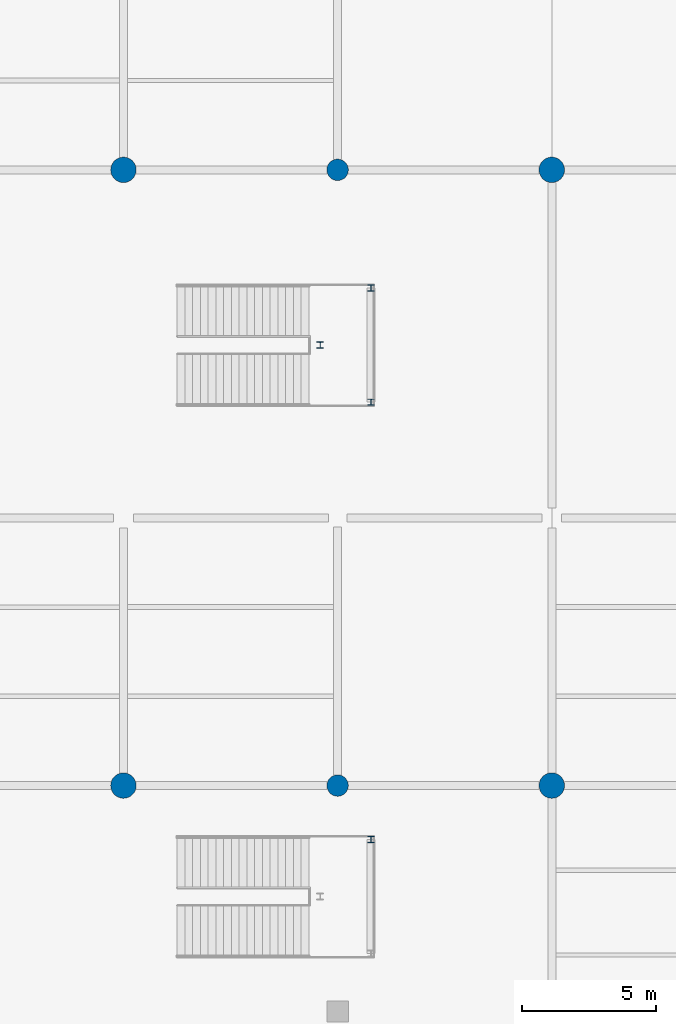
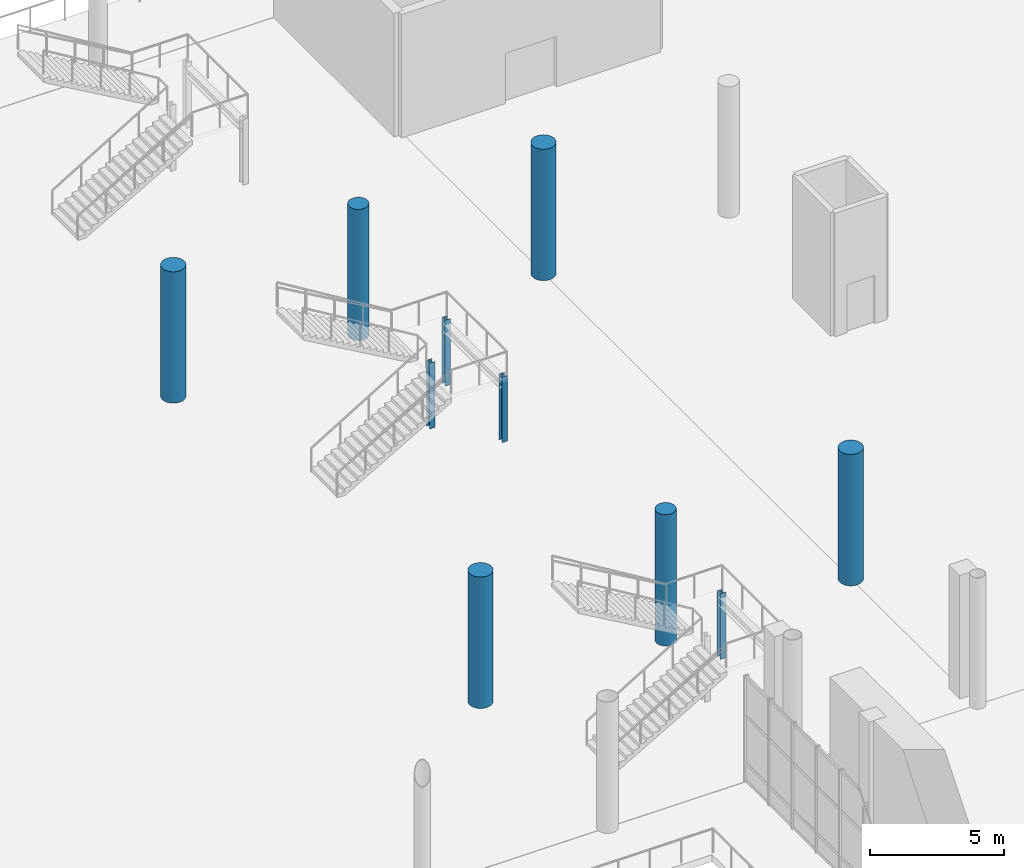
# One storey, part 24 of 163: 10 columns.
"""IFC4 building model written with IfcOpenShell, lengths in metres."""

from ifc_helpers import new_model, si_unit, direction, frame, origin, origin_2d, place, context, subcontext, project, spatial, circle, i_section, extrude, material, material_profile, profile_set, type_object, element, save


model = new_model("IFC4")

# Units and contexts
model_context = context("Model", 3, precision=1e-05, world=origin(), true_north=direction((0.0, 1.0)))
body_context = subcontext(model_context, "Body", "Model", "MODEL_VIEW")
ifc_project = project(units=[si_unit("LENGTHUNIT", "METRE"), si_unit("AREAUNIT", "SQUARE_METRE"), si_unit("VOLUMEUNIT", "CUBIC_METRE"), si_unit("PLANEANGLEUNIT", "RADIAN"), si_unit("MASSUNIT", "GRAM", prefix="KILO")], contexts=[model_context])

# Site, building, storey
site_placement = place(None, origin())
site = spatial("IfcSite", under=ifc_project, at=site_placement, CompositionType="ELEMENT")
building_placement = place(site_placement, origin())
building = spatial("IfcBuilding", under=site, at=building_placement, Name="Khorjan Park Terminus", CompositionType="ELEMENT")
storey_placement = place(building_placement, origin())
storey = spatial("IfcBuildingStorey", under=building, at=storey_placement, Name="L00", CompositionType="ELEMENT", Elevation=0.0)

# Columns
ifc_material_1 = material(Name="Steel S355", Category="steel")
ifc_material_profile_1 = material_profile(ifc_material_1, i_section(OverallWidth=0.24, OverallDepth=0.24, WebThickness=0.01, FlangeThickness=0.017, FilletRadius=0.021, at=origin_2d()), Name="HEB 240")
ifc_profile_set_1 = profile_set([ifc_material_profile_1], Name="Steel S355")
column_type_1 = type_object("IfcColumnType", Name="COL-HB240", PredefinedType="COLUMN", material=ifc_profile_set_1)
for number, where, z_axis, x_axis, name in (
    (1, (113.25, 109.48, 0.0), (0.0, 0.0, 1.0), (1.0, 0.0, 0.0), "Structural column SC-H24 (L00 #999)"),
    (2, (113.25, 125.82, 0.0), (0.0, 0.0, 1.0), (1.0, 0.0, 0.0), "Structural column SC-H24 (L00 #1009)"),
    (3, (113.25, 130.08, 0.0), (0.0, 0.0, 1.0), (1.0, 0.0, 0.0), "Structural column SC-H24 (L00 #1011)"),
    (4, (111.35, 127.95, 0.0), (0.0, 0.0, 1.0), (1.0, 0.0, 0.0), "Structural column SC-H24 (L00 #1013)"),
):
    element("IfcColumn", number, at=place(storey_placement, frame(where, z_axis=z_axis, x_axis=x_axis)), inside=storey, type_object=column_type_1, Name=name, PredefinedType="COLUMN", context=body_context, shape_type="SweptSolid", body=[
        extrude(i_section(OverallWidth=0.24, OverallDepth=0.24, WebThickness=0.01, FlangeThickness=0.017, FilletRadius=0.021, at=origin_2d()), origin(), (0.0, 0.0, 1.0), 3.0),
    ])
ifc_material_2 = material(Name="Concrete C40/50", Category="concrete")
ifc_material_profile_2 = material_profile(ifc_material_2, circle(Radius=0.4, at=origin_2d()), Name="RC D800")
ifc_profile_set_2 = profile_set([ifc_material_profile_2], Name="Concrete C40/50")
column_type_2 = type_object("IfcColumnType", Name="COL-RD800", PredefinedType="COLUMN", material=ifc_profile_set_2)
for number, where, z_axis, x_axis, name in (
    (5, (112.0, 111.5, 0.0), (0.0, 0.0, 1.0), (1.0, 0.0, 0.0), "Structural column C-RD80 (L00 #171)"),
    (6, (112.0, 134.5, 0.0), (0.0, 0.0, 1.0), (1.0, 0.0, 0.0), "Structural column C-RD80 (L00 #174)"),
):
    element("IfcColumn", number, at=place(storey_placement, frame(where, z_axis=z_axis, x_axis=x_axis)), inside=storey, type_object=column_type_2, Name=name, PredefinedType="COLUMN", context=body_context, shape_type="SweptSolid", body=[
        extrude(circle(Radius=0.4, at=origin_2d()), origin(), (0.0, 0.0, 1.0), 6.0),
    ])
ifc_material_3 = material(Name="Concrete C50/60", Category="concrete")
ifc_material_profile_3 = material_profile(ifc_material_3, circle(Radius=0.475, at=origin_2d()), Name="RC D950")
ifc_profile_set_3 = profile_set([ifc_material_profile_3], Name="Concrete C50/60")
column_type_3 = type_object("IfcColumnType", Name="COL-RD950", PredefinedType="COLUMN", material=ifc_profile_set_3)
for number, where, z_axis, x_axis, name in (
    (7, (104.0, 111.5, 0.0), (0.0, 0.0, 1.0), (1.0, 0.0, 0.0), "Structural column C-RD95 (L00 #157)"),
    (8, (104.0, 134.5, 0.0), (0.0, 0.0, 1.0), (1.0, 0.0, 0.0), "Structural column C-RD95 (L00 #160)"),
    (9, (120.0, 111.5, 0.0), (0.0, 0.0, 1.0), (1.0, 0.0, 0.0), "Structural column C-RD95 (L00 #181)"),
    (10, (120.0, 134.5, 0.0), (0.0, 0.0, 1.0), (1.0, 0.0, 0.0), "Structural column C-RD95 (L00 #184)"),
):
    element("IfcColumn", number, at=place(storey_placement, frame(where, z_axis=z_axis, x_axis=x_axis)), inside=storey, type_object=column_type_3, Name=name, PredefinedType="COLUMN", context=body_context, shape_type="SweptSolid", body=[
        extrude(circle(Radius=0.475, at=origin_2d()), origin(), (0.0, 0.0, 1.0), 6.0),
    ])

save(model, "model.ifc")
